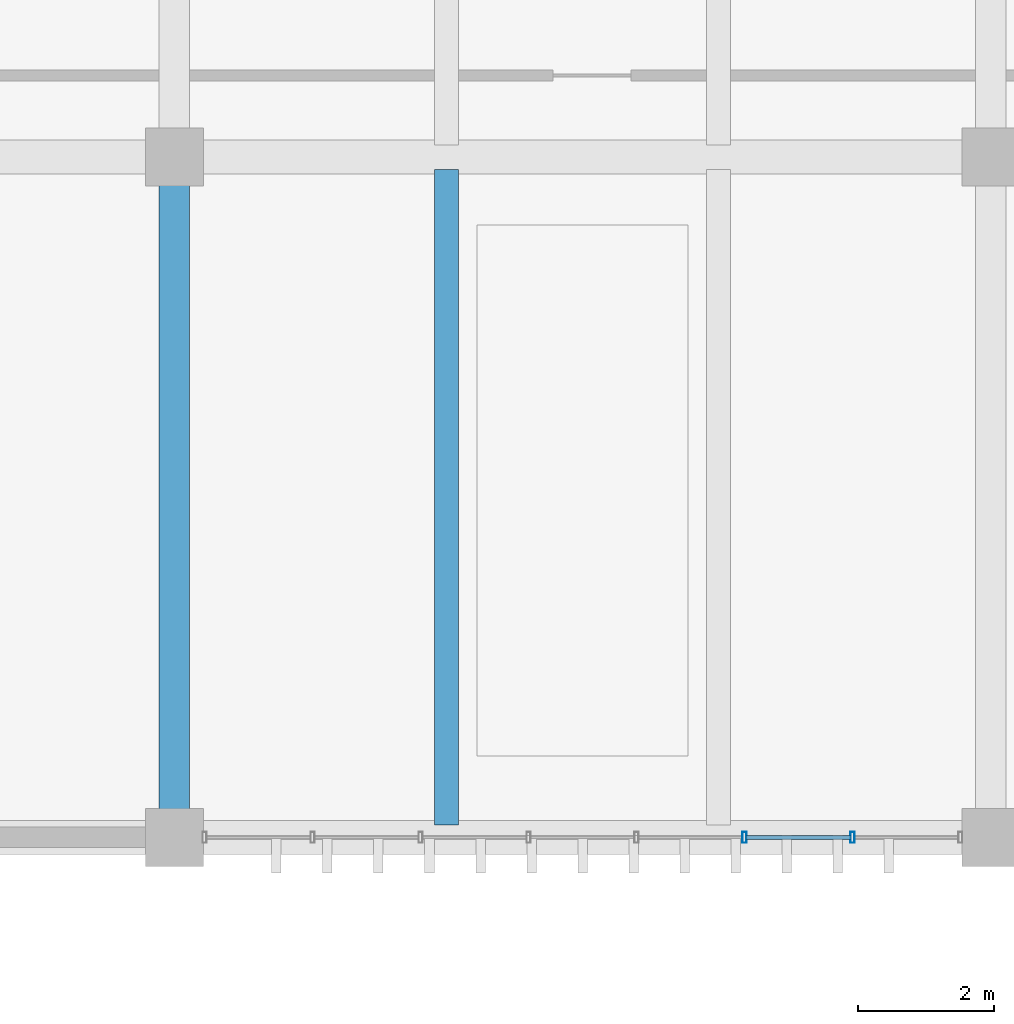
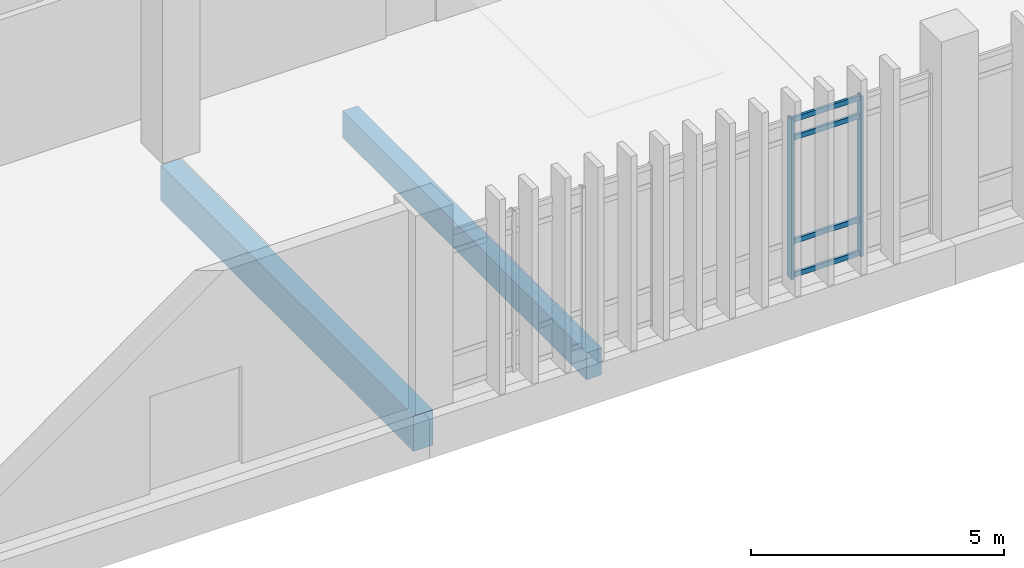
# One storey, part 34 of 87: 6 members, 2 beams, 1 element without a shape of its own.
"""IFC4 building model written with IfcOpenShell, lengths in metres."""

from ifc_helpers import new_model, si_unit, direction, frame, origin, origin_2d, place, context, subcontext, project, spatial, rectangle, hollow_rectangle, extrude, material, layer, layer_set, material_profile, profile_set, type_object, element, aggregate, save


model = new_model("IFC4")

# Units and contexts
model_context = context("Model", 3, precision=1e-05, world=origin(), true_north=direction((0.0, 1.0)))
body_context = subcontext(model_context, "Body", "Model", "MODEL_VIEW")
ifc_project = project(units=[si_unit("LENGTHUNIT", "METRE"), si_unit("AREAUNIT", "SQUARE_METRE"), si_unit("VOLUMEUNIT", "CUBIC_METRE"), si_unit("PLANEANGLEUNIT", "RADIAN"), si_unit("MASSUNIT", "GRAM", prefix="KILO")], contexts=[model_context])

# Site, building, storey
site_placement = place(None, origin())
site = spatial("IfcSite", under=ifc_project, at=site_placement, CompositionType="ELEMENT")
building_placement = place(site_placement, origin())
building = spatial("IfcBuilding", under=site, at=building_placement, Name="Mersad Railyard Sports Hall", CompositionType="ELEMENT")
storey_placement = place(building_placement, origin())
storey = spatial("IfcBuildingStorey", under=building, at=storey_placement, Name="L00", CompositionType="ELEMENT", Elevation=0.0)

# Curtain wall, members
ifc_material_1 = material(Name="Aluminium 6063-T6", Category="aluminium")
ifc_layer = layer(ifc_material_1, 0.159912109375)
ifc_layer_set = layer_set([ifc_layer], Name="Aluminium 6063-T6")
curtain_wall_type = type_object("IfcCurtainWallType", Name="ARC-CW-CW31", PredefinedType="USERDEFINED", material=ifc_layer_set)
curtain_wall_placement = place(storey_placement, origin())
curtain_wall = element("IfcCurtainWall", 1, at=curtain_wall_placement, inside=storey, type_object=curtain_wall_type, Name="Curtain wall CW31-0090", ObjectType="CURTAIN WALL", PredefinedType="USERDEFINED")
ifc_material_profile_1 = material_profile(ifc_material_1, hollow_rectangle(XDim=0.06005859375, YDim=0.159912109375, WallThickness=0.00390625, at=origin_2d()), Name="AL MULLION 60x160x4")
ifc_profile_set_1 = profile_set([ifc_material_profile_1], Name="Aluminium 6063-T6")
member_type_1 = type_object("IfcMemberType", Name="ARC-CW-MUL01", PredefinedType="MULLION", material=ifc_profile_set_1)
member_1_placement = place(storey_placement, frame((64.9677734375, 85.0, -0.02001953125), z_axis=(0.0, 0.0, 1.0), x_axis=(1.0, 0.0, 0.0)))
member_1 = element("IfcMember", 2, at=member_1_placement, type_object=member_type_1, Name="CW31 Mullion 2", PredefinedType="MULLION", context=body_context, shape_type="SweptSolid", body=[
    extrude(hollow_rectangle(XDim=0.06005859375, YDim=0.159912109375, WallThickness=0.00390625, at=origin_2d()), origin(), (0.0, 0.0, 1.0), 3.8701171875),
])
member_2_placement = place(storey_placement, frame((63.380615234375, 85.0, -0.02001953125), z_axis=(0.0, 0.0, 1.0), x_axis=(1.0, 0.0, 0.0)))
member_2 = element("IfcMember", 3, at=member_2_placement, type_object=member_type_1, Name="CW31 Mullion 3", PredefinedType="MULLION", context=body_context, shape_type="SweptSolid", body=[
    extrude(hollow_rectangle(XDim=0.06005859375, YDim=0.159912109375, WallThickness=0.00390625, at=origin_2d()), origin(), (0.0, 0.0, 1.0), 3.8701171875),
])
ifc_material_profile_2 = material_profile(ifc_material_1, hollow_rectangle(XDim=0.06005859375, YDim=0.1201171875, WallThickness=0.00390625, at=origin_2d()), Name="AL TRANSOM 60x120x4")
ifc_profile_set_2 = profile_set([ifc_material_profile_2], Name="Aluminium 6063-T6")
member_type_2 = type_object("IfcMemberType", Name="ARC-CW-TRN01", PredefinedType="USERDEFINED", material=ifc_profile_set_2)
member_3_placement = place(storey_placement, frame((64.94775390625, 85.0, 0.0400390625), z_axis=(-1.0, 0.0, 0.0), x_axis=(0.0, -1.0, 0.0)))
member_3 = element("IfcMember", 4, at=member_3_placement, type_object=member_type_2, Name="CW31 Transom 1-2", ObjectType="TRANSOM", PredefinedType="USERDEFINED", context=body_context, shape_type="SweptSolid", body=[
    extrude(hollow_rectangle(XDim=0.06005859375, YDim=0.1201171875, WallThickness=0.00390625, at=origin_2d()), origin(), (0.0, 0.0, 1.0), 1.547119140625),
])
member_4_placement = place(storey_placement, frame((64.94775390625, 85.0, 0.85009765625), z_axis=(-1.0, 0.0, 0.0), x_axis=(0.0, -1.0, 0.0)))
member_4 = element("IfcMember", 5, at=member_4_placement, type_object=member_type_2, Name="CW31 Transom 2-2", ObjectType="TRANSOM", PredefinedType="USERDEFINED", context=body_context, shape_type="SweptSolid", body=[
    extrude(hollow_rectangle(XDim=0.06005859375, YDim=0.1201171875, WallThickness=0.00390625, at=origin_2d()), origin(), (0.0, 0.0, 1.0), 1.547119140625),
])
member_5_placement = place(storey_placement, frame((64.94775390625, 85.0, 3.35009765625), z_axis=(-1.0, 0.0, 0.0), x_axis=(0.0, -1.0, 0.0)))
member_5 = element("IfcMember", 6, at=member_5_placement, type_object=member_type_2, Name="CW31 Transom 3-2", ObjectType="TRANSOM", PredefinedType="USERDEFINED", context=body_context, shape_type="SweptSolid", body=[
    extrude(hollow_rectangle(XDim=0.06005859375, YDim=0.1201171875, WallThickness=0.00390625, at=origin_2d()), origin(), (0.0, 0.0, 1.0), 1.547119140625),
])
member_6_placement = place(storey_placement, frame((64.94775390625, 85.0, 3.7900390625), z_axis=(-1.0, 0.0, 0.0), x_axis=(0.0, -1.0, 0.0)))
member_6 = element("IfcMember", 7, at=member_6_placement, type_object=member_type_2, Name="CW31 Transom 4-2", ObjectType="TRANSOM", PredefinedType="USERDEFINED", context=body_context, shape_type="SweptSolid", body=[
    extrude(hollow_rectangle(XDim=0.06005859375, YDim=0.1201171875, WallThickness=0.00390625, at=origin_2d()), origin(), (0.0, 0.0, 1.0), 1.547119140625),
])
aggregate(curtain_wall, [member_1, member_2, member_3, member_4, member_5, member_6])

# Beams
ifc_material_2 = material(Name="Concrete C40/50", Category="concrete")
ifc_material_profile_3 = material_profile(ifc_material_2, rectangle(XDim=0.449951171875, YDim=0.85009765625, at=origin_2d()), Name="RC 450x850")
ifc_profile_set_3 = profile_set([ifc_material_profile_3], Name="Concrete C40/50")
beam_type_1 = type_object("IfcBeamType", Name="STR-BM-B02", PredefinedType="BEAM", material=ifc_profile_set_3)
beam_1_placement = place(storey_placement, frame((55.0, 85.0, -0.77490234375), z_axis=(0.0, 1.0, 0.0), x_axis=(-1.0, 0.0, 0.0)))
element("IfcBeam", 8, at=beam_1_placement, inside=storey, type_object=beam_type_1, Name="Beam B02-0177", PredefinedType="BEAM", context=body_context, shape_type="SweptSolid", body=[
    extrude(rectangle(XDim=0.449951171875, YDim=0.85009765625, at=origin_2d()), origin(), (0.0, 0.0, 1.0), 10.0),
])
ifc_material_profile_4 = material_profile(ifc_material_2, rectangle(XDim=0.35009765625, YDim=0.64990234375, at=origin_2d()), Name="RC 350x650")
ifc_profile_set_4 = profile_set([ifc_material_profile_4], Name="Concrete C40/50")
beam_type_2 = type_object("IfcBeamType", Name="STR-BM-J01", PredefinedType="JOIST", material=ifc_profile_set_4)
beam_2_placement = place(storey_placement, frame((59.0, 85.179931640625, -0.675048828125), z_axis=(0.0, 1.0, 0.0), x_axis=(-1.0, 0.0, 0.0)))
element("IfcBeam", 9, at=beam_2_placement, inside=storey, type_object=beam_type_2, Name="Beam J01-0229", PredefinedType="JOIST", context=body_context, shape_type="SweptSolid", body=[
    extrude(rectangle(XDim=0.35009765625, YDim=0.64990234375, at=origin_2d()), origin(), (0.0, 0.0, 1.0), 9.64013671875),
])

save(model, "model.ifc")
